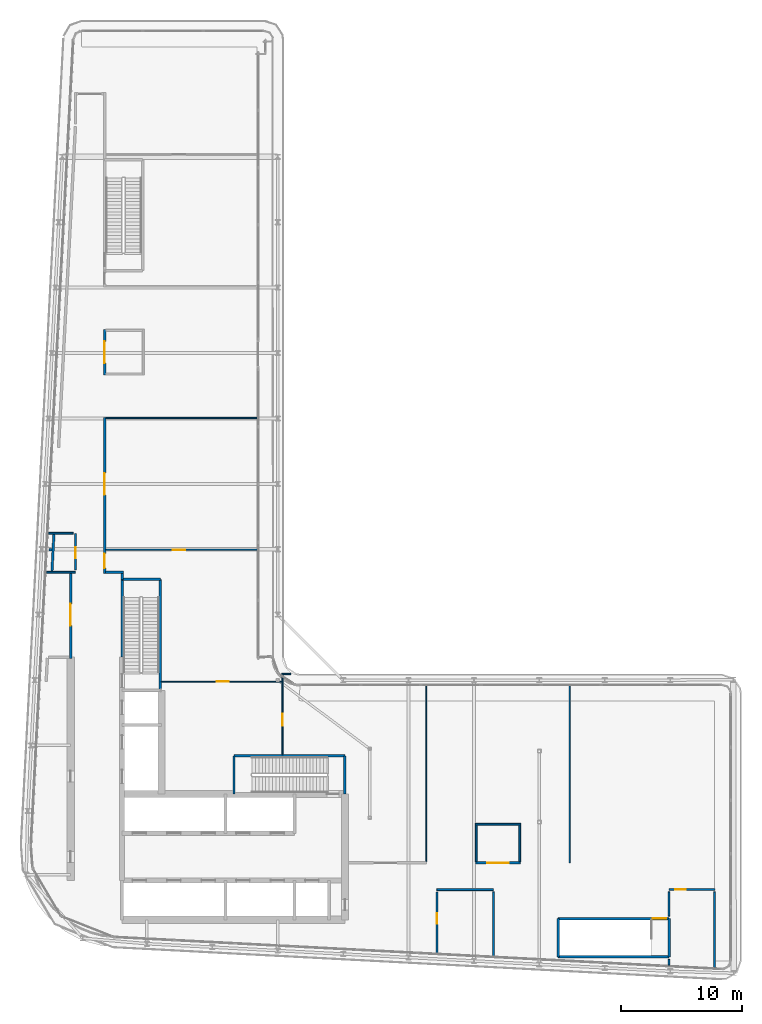
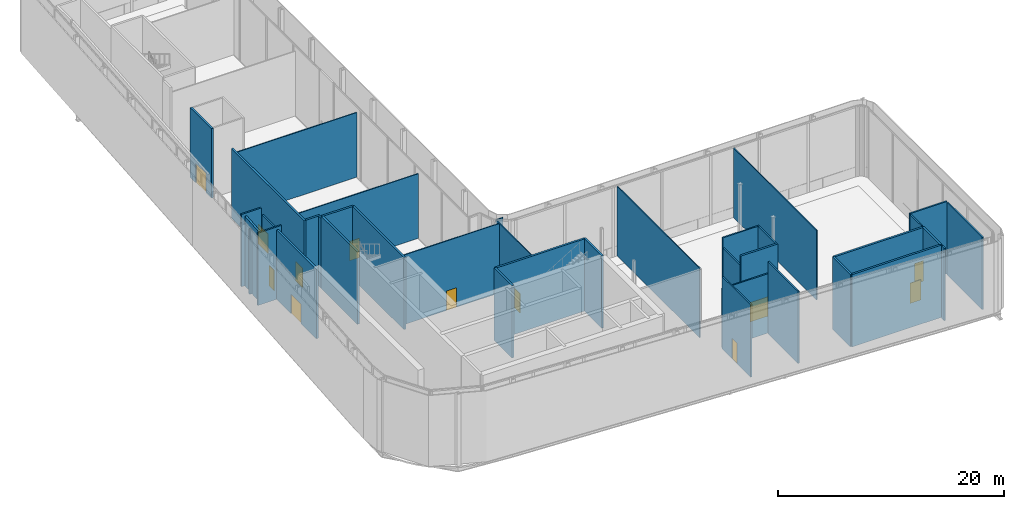
# One storey, part 21 of 27: 38 walls, 12 doors, 12 openings.
"""IFC4 building model written with IfcOpenShell, lengths in metres."""

from ifc_helpers import new_model, si_unit, direction, frame, frame_2d, origin, place, context, subcontext, project, spatial, rectangle, extrude, source, transform, mapped, material, layer, layer_set, type_object, element, fill, save


model = new_model("IFC4")

# Units and contexts
model_context = context("Model", 3, precision=1e-05, world=origin(), true_north=direction((0.0, 1.0)))
body_context = subcontext(model_context, "Body", "Model", "MODEL_VIEW")
ifc_project = project(units=[si_unit("LENGTHUNIT", "METRE"), si_unit("AREAUNIT", "SQUARE_METRE"), si_unit("VOLUMEUNIT", "CUBIC_METRE"), si_unit("PLANEANGLEUNIT", "RADIAN"), si_unit("MASSUNIT", "GRAM", prefix="KILO")], contexts=[model_context])

# Site, building, storey
site_placement = place(None, origin())
site = spatial("IfcSite", under=ifc_project, at=site_placement, CompositionType="ELEMENT")
building_placement = place(site_placement, origin())
building = spatial("IfcBuilding", under=site, at=building_placement, Name="Kheshtan School and Residences Tower", CompositionType="ELEMENT")
storey_placement = place(building_placement, frame((0.0, 0.0, 266.89990234375)))
storey = spatial("IfcBuildingStorey", under=building, at=storey_placement, Name="L63", CompositionType="ELEMENT", Elevation=266.89990234375)

# Walls
ifc_material_1 = material(Name="Gypsum board on steel studs with fire boards", Category="steel")
ifc_layer_1 = layer(ifc_material_1, 0.199951171875)
ifc_layer_set_1 = layer_set([ifc_layer_1], Name="Corridor wall 200")
wall_type_1 = type_object("IfcWallType", Name="Corridor wall 200", PredefinedType="PARTITIONING", material=ifc_layer_set_1)
wall_1_placement = place(storey_placement, frame((28.72412109375, 56.35302734375, 0.0), z_axis=(0.0, 0.0, 1.0), x_axis=(1.0, 0.0, 0.0)))
element("IfcWall", 1, at=wall_1_placement, inside=storey, type_object=wall_type_1, Name="Partition L63-003", PredefinedType="PARTITIONING", context=body_context, shape_type="SweptSolid", body=[
    extrude(rectangle(XDim=0.22998046875, YDim=0.199951171875, at=frame_2d((0.114990234375, 0.0))), origin(), (0.0, 0.0, 1.0), 6.97216796875),
])
wall_2_placement = place(storey_placement, frame((28.9599609375, 54.573974609375, 0.0), z_axis=(0.0, 0.0, 1.0), x_axis=(0.052145785312, 0.998639483034, 0.0)))
element("IfcWall", 2, at=wall_2_placement, inside=storey, type_object=wall_type_1, Name="Partition L63-004", PredefinedType="PARTITIONING", context=body_context, shape_type="SweptSolid", body=[
    extrude(rectangle(XDim=3.0712890625, YDim=0.199951171875, at=frame_2d((1.53564453125, 0.0))), origin(), (0.0, 0.0, 1.0), 7.5),
])

# Wall, opening, door
wall_3_placement = place(storey_placement, frame((30.5, 47.39990234375, 0.0), z_axis=(0.0, 0.0, 1.0), x_axis=(0.0, 1.0, 0.0)))
wall_3 = element("IfcWall", 3, at=wall_3_placement, inside=storey, type_object=wall_type_1, Name="Partition L63-006", PredefinedType="PARTITIONING", context=body_context, shape_type="SweptSolid", body=[
    extrude(rectangle(XDim=7.026123046875, YDim=0.199951171875, at=frame_2d((3.51318359375, 0.0))), origin(), (0.0, 0.0, 1.0), 7.5),
])
opening_1_placement = place(wall_3_placement, frame((2.699951171875, 0.0, 0.0)))
opening_1 = element("IfcOpeningElement", 4, at=opening_1_placement, cuts=wall_3, Name="Opening D63-003", PredefinedType="OPENING", context=body_context, shape_type="SweptSolid", body=[
    extrude(rectangle(XDim=1.800048828125, YDim=2.10009765625, at=frame_2d((0.89990234375, 1.050048828125))), frame((0.0, 0.10986328125, 0.0), z_axis=(0.0, -1.0, 0.0), x_axis=(1.0, 0.0, 0.0)), (0.0, 0.0, 1.0), 0.219970703125),
])
ifc_material_2 = material(Name="Steel-framed fire-resisting door leaf", Category="steel")
door_type_1 = type_object("IfcDoorType", Name="Fire double door FD60 1800 x 2100", OperationType="DOUBLE_DOOR_SINGLE_SWING", PredefinedType="DOOR", material=ifc_material_2)
shared_shape_1 = source(origin(), body_context, "Body", "SweptSolid", [
    extrude(rectangle(XDim=1.800048828125, YDim=2.10009765625, at=frame_2d((0.89990234375, 1.050048828125))), frame((0.0, 0.02490234375, 0.0), z_axis=(0.0, -1.0, 0.0), x_axis=(1.0, 0.0, 0.0)), (0.0, 0.0, 1.0), 0.050048828125),
])
door_1_placement = place(opening_1_placement, origin())
door_1 = element("IfcDoor", 5, at=door_1_placement, inside=storey, type_object=door_type_1, Name="Door D63-003", OperationType="DOUBLE_DOOR_SINGLE_SWING", OverallHeight=2.10009765625, OverallWidth=1.800048828125, PredefinedType="DOOR", context=body_context, shape_type="MappedRepresentation", body=[
    mapped(shared_shape_1, transform((0.0, 0.0, 0.0), x_axis=(1.0, 0.0, 0.0), y_axis=(0.0, 1.0, 0.0), z_axis=(0.0, 0.0, 1.0), scale=1.0)),
])
fill(opening_1, door_1)

# Wall, openings, doors
wall_4_placement = place(storey_placement, frame((33.300048828125, 54.39990234375, 0.0), z_axis=(0.0, 0.0, 1.0), x_axis=(0.0, 1.0, 0.0)))
wall_4 = element("IfcWall", 6, at=wall_4_placement, inside=storey, type_object=wall_type_1, Name="Partition L63-009", PredefinedType="PARTITIONING", context=body_context, shape_type="SweptSolid", body=[
    extrude(rectangle(XDim=12.882080078125, YDim=0.199951171875, at=frame_2d((6.44091796875, 0.0))), origin(), (0.0, 0.0, 1.0), 7.5),
])
opening_2_placement = place(wall_4_placement, frame((0.449951171875, 0.0, 0.0)))
opening_2 = element("IfcOpeningElement", 7, at=opening_2_placement, cuts=wall_4, Name="Opening D63-005", PredefinedType="OPENING", context=body_context, shape_type="SweptSolid", body=[
    extrude(rectangle(XDim=1.199951171875, YDim=2.10009765625, at=frame_2d((0.60009765625, 1.050048828125))), frame((0.0, 0.10986328125, 0.0), z_axis=(0.0, -1.0, 0.0), x_axis=(1.0, 0.0, 0.0)), (0.0, 0.0, 1.0), 0.219970703125),
])
opening_3_placement = place(wall_4_placement, frame((6.492919921875, 0.0, 0.0)))
opening_3 = element("IfcOpeningElement", 8, at=opening_3_placement, cuts=wall_4, Name="Opening D63-008", PredefinedType="OPENING", context=body_context, shape_type="SweptSolid", body=[
    extrude(rectangle(XDim=1.800048828125, YDim=2.10009765625, at=frame_2d((0.89990234375, 1.050048828125))), frame((0.0, 0.10986328125, 0.0), z_axis=(0.0, -1.0, 0.0), x_axis=(1.0, 0.0, 0.0)), (0.0, 0.0, 1.0), 0.219970703125),
])
door_2_placement = place(opening_3_placement, origin())
door_2 = element("IfcDoor", 9, at=door_2_placement, inside=storey, type_object=door_type_1, Name="Door D63-008", OperationType="DOUBLE_DOOR_SINGLE_SWING", OverallHeight=2.10009765625, OverallWidth=1.800048828125, PredefinedType="DOOR", context=body_context, shape_type="MappedRepresentation", body=[
    mapped(shared_shape_1, transform((0.0, 0.0, 0.0), x_axis=(1.0, 0.0, 0.0), y_axis=(0.0, 1.0, 0.0), z_axis=(0.0, 0.0, 1.0), scale=1.0)),
])
fill(opening_3, door_2)
door_type_2 = type_object("IfcDoorType", Name="Fire door FD60 1200 x 2100", OperationType="SINGLE_SWING_LEFT", PredefinedType="DOOR", material=ifc_material_2)
shared_shape_2 = source(origin(), body_context, "Body", "SweptSolid", [
    extrude(rectangle(XDim=1.199951171875, YDim=2.10009765625, at=frame_2d((0.60009765625, 1.050048828125))), frame((0.0, 0.02490234375, 0.0), z_axis=(0.0, -1.0, 0.0), x_axis=(1.0, 0.0, 0.0)), (0.0, 0.0, 1.0), 0.050048828125),
])
door_3_placement = place(opening_2_placement, origin())
door_3 = element("IfcDoor", 10, at=door_3_placement, inside=storey, type_object=door_type_2, Name="Door D63-005", OperationType="SINGLE_SWING_RIGHT", OverallHeight=2.10009765625, OverallWidth=1.199951171875, PredefinedType="DOOR", context=body_context, shape_type="MappedRepresentation", body=[
    mapped(shared_shape_2, transform((0.0, 0.0, 0.0), x_axis=(1.0, 0.0, 0.0), y_axis=(0.0, 1.0, 0.0), z_axis=(0.0, 0.0, 1.0), scale=1.0)),
])
fill(opening_2, door_3)

# Wall, opening, door
wall_5_placement = place(storey_placement, frame((33.300048828125, 70.797119140625, 0.0), z_axis=(0.0, 0.0, 1.0), x_axis=(0.0, 1.0, 0.0)))
wall_5 = element("IfcWall", 11, at=wall_5_placement, inside=storey, type_object=wall_type_1, Name="Partition L63-010", PredefinedType="PARTITIONING", context=body_context, shape_type="SweptSolid", body=[
    extrude(rectangle(XDim=3.75, YDim=0.199951171875, at=frame_2d((1.875, 0.0))), origin(), (0.0, 0.0, 1.0), 7.5),
])
opening_4_placement = place(wall_5_placement, frame((0.97509765625, 0.0, 0.0)))
opening_4 = element("IfcOpeningElement", 12, at=opening_4_placement, cuts=wall_5, Name="Opening D63-009", PredefinedType="OPENING", context=body_context, shape_type="SweptSolid", body=[
    extrude(rectangle(XDim=1.800048828125, YDim=2.10009765625, at=frame_2d((0.89990234375, 1.050048828125))), frame((0.0, 0.10986328125, 0.0), z_axis=(0.0, -1.0, 0.0), x_axis=(1.0, 0.0, 0.0)), (0.0, 0.0, 1.0), 0.219970703125),
])
door_4_placement = place(opening_4_placement, origin())
door_4 = element("IfcDoor", 13, at=door_4_placement, inside=storey, type_object=door_type_1, Name="Door D63-009", OperationType="DOUBLE_DOOR_SINGLE_SWING", OverallHeight=2.10009765625, OverallWidth=1.800048828125, PredefinedType="DOOR", context=body_context, shape_type="MappedRepresentation", body=[
    mapped(shared_shape_1, transform((0.0, 0.0, 0.0), x_axis=(1.0, 0.0, 0.0), y_axis=(0.0, 1.0, 0.0), z_axis=(0.0, 0.0, 1.0), scale=1.0)),
])
fill(opening_4, door_4)

# Walls
wall_6_placement = place(storey_placement, frame((33.39990234375, 54.5, 0.0), z_axis=(0.0, 0.0, 1.0), x_axis=(1.0, 0.0, 0.0)))
element("IfcWall", 14, at=wall_6_placement, inside=storey, type_object=wall_type_1, Name="Partition L63-013", PredefinedType="PARTITIONING", context=body_context, shape_type="SweptSolid", body=[
    extrude(rectangle(XDim=1.4501953125, YDim=0.199951171875, at=frame_2d((0.72509765625, 0.0))), origin(), (0.0, 0.0, 1.0), 7.5),
])
wall_7_placement = place(storey_placement, frame((34.75, 53.909912109375, 0.0), z_axis=(0.0, 0.0, 1.0), x_axis=(0.0, 1.0, 0.0)))
element("IfcWall", 15, at=wall_7_placement, inside=storey, type_object=wall_type_1, Name="Partition L63-020", PredefinedType="PARTITIONING", context=body_context, shape_type="SweptSolid", body=[
    extrude(rectangle(XDim=0.489990234375, YDim=0.199951171875, at=frame_2d((0.2451171875, 0.0))), origin(), (0.0, 0.0, 1.0), 7.5),
])

# Wall, opening, door
wall_8_placement = place(storey_placement, frame((63.9150390625, 30.5, 0.0), z_axis=(0.0, 0.0, 1.0), x_axis=(1.0, 0.0, 0.0)))
wall_8 = element("IfcWall", 16, at=wall_8_placement, inside=storey, type_object=wall_type_1, Name="Partition L63-027", PredefinedType="PARTITIONING", context=body_context, shape_type="SweptSolid", body=[
    extrude(rectangle(XDim=3.75, YDim=0.199951171875, at=frame_2d((1.875, 0.0))), origin(), (0.0, 0.0, 1.0), 7.5),
])
opening_5_placement = place(wall_8_placement, frame((0.97509765625, 0.0, 0.0)))
opening_5 = element("IfcOpeningElement", 17, at=opening_5_placement, cuts=wall_8, Name="Opening D63-002", PredefinedType="OPENING", context=body_context, shape_type="SweptSolid", body=[
    extrude(rectangle(XDim=1.800048828125, YDim=2.10009765625, at=frame_2d((0.89990234375, 1.050048828125))), frame((0.0, 0.10986328125, 0.0), z_axis=(0.0, -1.0, 0.0), x_axis=(1.0, 0.0, 0.0)), (0.0, 0.0, 1.0), 0.219970703125),
])
door_5_placement = place(opening_5_placement, origin())
door_5 = element("IfcDoor", 18, at=door_5_placement, inside=storey, type_object=door_type_1, Name="Door D63-002", OperationType="DOUBLE_DOOR_SINGLE_SWING", OverallHeight=2.10009765625, OverallWidth=1.800048828125, PredefinedType="DOOR", context=body_context, shape_type="MappedRepresentation", body=[
    mapped(shared_shape_1, transform((0.0, 0.0, 0.0), x_axis=(1.0, 0.0, 0.0), y_axis=(0.0, 1.0, 0.0), z_axis=(0.0, 0.0, 1.0), scale=1.0)),
])
fill(opening_5, door_5)

ifc_material_3 = material(Name="Gypsum board on steel studs", Category="steel")
ifc_layer_2 = layer(ifc_material_3, 0.10009765625)
ifc_layer_set_2 = layer_set([ifc_layer_2], Name="Gypsum partition 100")
wall_type_2 = type_object("IfcWallType", Name="Gypsum partition 100", PredefinedType="PARTITIONING", material=ifc_layer_set_2)
wall_9_placement = place(storey_placement, frame((33.39990234375, 56.35302734375, 0.0), z_axis=(0.0, 0.0, 1.0), x_axis=(1.0, 0.0, 0.0)))
wall_9 = element("IfcWall", 19, at=wall_9_placement, inside=storey, type_object=wall_type_2, Name="Partition L63-014", PredefinedType="PARTITIONING", context=body_context, shape_type="SweptSolid", body=[
    extrude(rectangle(XDim=12.570068359375, YDim=0.10009765625, at=frame_2d((6.28515625, 0.0))), origin(), (0.0, 0.0, 1.0), 6.97216796875),
])
opening_6_placement = place(wall_9_placement, frame((5.550048828125, 0.0, 0.0)))
opening_6 = element("IfcOpeningElement", 20, at=opening_6_placement, cuts=wall_9, Name="Opening D63-004", PredefinedType="OPENING", context=body_context, shape_type="SweptSolid", body=[
    extrude(rectangle(XDim=1.0, YDim=2.10009765625, at=frame_2d((0.5, 1.050048828125))), frame((0.0, 0.06005859375, 0.0), z_axis=(0.0, -1.0, 0.0), x_axis=(1.0, 0.0, 0.0)), (0.0, 0.0, 1.0), 0.1201171875),
])
ifc_material_4 = material(Name="Veneered timber door leaf", Category="wood")
door_type_3 = type_object("IfcDoorType", Name="Door 1000 x 2100", OperationType="SINGLE_SWING_LEFT", PredefinedType="DOOR", material=ifc_material_4)
shared_shape_3 = source(origin(), body_context, "Body", "SweptSolid", [
    extrude(rectangle(XDim=1.0, YDim=2.10009765625, at=frame_2d((0.5, 1.050048828125))), frame((0.0, 0.02490234375, 0.0), z_axis=(0.0, -1.0, 0.0), x_axis=(1.0, 0.0, 0.0)), (0.0, 0.0, 1.0), 0.050048828125),
])
door_6_placement = place(opening_6_placement, origin())
door_6 = element("IfcDoor", 21, at=door_6_placement, inside=storey, type_object=door_type_3, Name="Door D63-004", OperationType="SINGLE_SWING_LEFT", OverallHeight=2.10009765625, OverallWidth=1.0, PredefinedType="DOOR", context=body_context, shape_type="MappedRepresentation", body=[
    mapped(shared_shape_3, transform((0.0, 0.0, 0.0), x_axis=(1.0, 0.0, 0.0), y_axis=(0.0, 1.0, 0.0), z_axis=(0.0, 0.0, 1.0), scale=1.0)),
])
fill(opening_6, door_6)

# Wall
wall_10_placement = place(storey_placement, frame((33.39990234375, 67.23193359375, 0.0), z_axis=(0.0, 0.0, 1.0), x_axis=(1.0, 0.0, 0.0)))
element("IfcWall", 22, at=wall_10_placement, inside=storey, type_object=wall_type_2, Name="Partition L63-015", PredefinedType="PARTITIONING", context=body_context, shape_type="SweptSolid", body=[
    extrude(rectangle(XDim=12.570068359375, YDim=0.10009765625, at=frame_2d((6.28515625, 0.0))), origin(), (0.0, 0.0, 1.0), 6.97216796875),
])

# Wall, opening, door
wall_11_placement = place(storey_placement, frame((37.9990234375, 45.472900390625, 0.0), z_axis=(0.0, 0.0, 1.0), x_axis=(1.0, 0.0, 0.0)))
wall_11 = element("IfcWall", 23, at=wall_11_placement, inside=storey, type_object=wall_type_2, Name="Partition L63-022", PredefinedType="PARTITIONING", context=body_context, shape_type="SweptSolid", body=[
    extrude(rectangle(XDim=9.94091796875, YDim=0.10009765625, at=frame_2d((4.970458984375, 0.0))), origin(), (0.0, 0.0, 1.0), 7.5),
])
opening_7_placement = place(wall_11_placement, frame((4.551025390625, 0.0, 0.0)))
opening_7 = element("IfcOpeningElement", 24, at=opening_7_placement, cuts=wall_11, Name="Opening D63-006", PredefinedType="OPENING", context=body_context, shape_type="SweptSolid", body=[
    extrude(rectangle(XDim=1.0, YDim=2.10009765625, at=frame_2d((0.5, 1.050048828125))), frame((0.0, 0.06005859375, 0.0), z_axis=(0.0, -1.0, 0.0), x_axis=(1.0, 0.0, 0.0)), (0.0, 0.0, 1.0), 0.1201171875),
])
door_7_placement = place(opening_7_placement, origin())
door_7 = element("IfcDoor", 25, at=door_7_placement, inside=storey, type_object=door_type_3, Name="Door D63-006", OperationType="SINGLE_SWING_LEFT", OverallHeight=2.10009765625, OverallWidth=1.0, PredefinedType="DOOR", context=body_context, shape_type="MappedRepresentation", body=[
    mapped(shared_shape_3, transform((0.0, 0.0, 0.0), x_axis=(1.0, 0.0, 0.0), y_axis=(0.0, 1.0, 0.0), z_axis=(0.0, 0.0, 1.0), scale=1.0)),
])
fill(opening_7, door_7)

wall_12_placement = place(storey_placement, frame((47.989990234375, 39.448974609375, 0.0), z_axis=(0.0, 0.0, 1.0), x_axis=(0.0, 1.0, 0.0)))
wall_12 = element("IfcWall", 26, at=wall_12_placement, inside=storey, type_object=wall_type_2, Name="Partition L63-023", PredefinedType="PARTITIONING", context=body_context, shape_type="SweptSolid", body=[
    extrude(rectangle(XDim=6.700927734375, YDim=0.10009765625, at=frame_2d((3.3505859375, 0.0))), origin(), (0.0, 0.0, 1.0), 7.5),
])
opening_8_placement = place(wall_12_placement, frame((2.3740234375, 0.0, 0.0)))
opening_8 = element("IfcOpeningElement", 27, at=opening_8_placement, cuts=wall_12, Name="Opening D63-007", PredefinedType="OPENING", context=body_context, shape_type="SweptSolid", body=[
    extrude(rectangle(XDim=1.0, YDim=2.10009765625, at=frame_2d((0.5, 1.050048828125))), frame((0.0, 0.06005859375, 0.0), z_axis=(0.0, -1.0, 0.0), x_axis=(1.0, 0.0, 0.0)), (0.0, 0.0, 1.0), 0.1201171875),
])
door_8_placement = place(opening_8_placement, origin())
door_8 = element("IfcDoor", 28, at=door_8_placement, inside=storey, type_object=door_type_3, Name="Door D63-007", OperationType="SINGLE_SWING_RIGHT", OverallHeight=2.10009765625, OverallWidth=1.0, PredefinedType="DOOR", context=body_context, shape_type="MappedRepresentation", body=[
    mapped(shared_shape_3, transform((0.0, 0.0, 0.0), x_axis=(1.0, 0.0, 0.0), y_axis=(0.0, 1.0, 0.0), z_axis=(0.0, 0.0, 1.0), scale=1.0)),
])
fill(opening_8, door_8)

# Walls
wall_13_placement = place(storey_placement, frame((48.0400390625, 46.10009765625, 0.0), z_axis=(0.0, 0.0, 1.0), x_axis=(1.0, 0.0, 0.0)))
element("IfcWall", 29, at=wall_13_placement, inside=storey, type_object=wall_type_2, Name="Partition L63-024", PredefinedType="PARTITIONING", context=body_context, shape_type="SweptSolid", body=[
    extrude(rectangle(XDim=0.64404296875, YDim=0.10009765625, at=frame_2d((0.322021484375, 0.0))), origin(), (0.0, 0.0, 1.0), 7.5),
])
wall_14_placement = place(storey_placement, frame((59.85302734375, 30.60009765625, 0.0), z_axis=(0.0, 0.0, 1.0), x_axis=(0.0, 1.0, 0.0)))
element("IfcWall", 30, at=wall_14_placement, inside=storey, type_object=wall_type_2, Name="Partition L63-026", PredefinedType="PARTITIONING", context=body_context, shape_type="SweptSolid", body=[
    extrude(rectangle(XDim=14.56982421875, YDim=0.10009765625, at=frame_2d((7.284912109375, 0.0))), origin(), (0.0, 0.0, 1.0), 7.5),
])
wall_15_placement = place(storey_placement, frame((71.717041015625, 30.5, 0.0), z_axis=(0.0, 0.0, 1.0), x_axis=(0.0, 1.0, 0.0)))
element("IfcWall", 31, at=wall_15_placement, inside=storey, type_object=wall_type_2, Name="Partition L63-031", PredefinedType="PARTITIONING", context=body_context, shape_type="SweptSolid", body=[
    extrude(rectangle(XDim=14.669921875, YDim=0.10009765625, at=frame_2d((7.3349609375, 0.0))), origin(), (0.0, 0.0, 1.0), 7.5),
])
ifc_material_5 = material(Name="Fire-board shaft wall system")
ifc_layer_3 = layer(ifc_material_5, 0.14990234375)
ifc_layer_set_3 = layer_set([ifc_layer_3], Name="Service room wall 150")
wall_type_3 = type_object("IfcWallType", Name="Service room wall 150", PredefinedType="PARTITIONING", material=ifc_layer_set_3)
wall_16_placement = place(storey_placement, frame((28.508056640625, 54.5, 0.0), z_axis=(0.0, 0.0, 1.0), x_axis=(1.0, 0.0, 0.0)))
element("IfcWall", 32, at=wall_16_placement, inside=storey, type_object=wall_type_3, Name="Service room wall", PredefinedType="PARTITIONING", context=body_context, shape_type="SweptSolid", body=[
    extrude(rectangle(XDim=2.391845703125, YDim=0.14990234375, at=frame_2d((1.19580078125, 0.0))), origin(), (0.0, 0.0, 1.0), 7.800048828125),
])

# Wall, opening, door
wall_17_placement = place(storey_placement, frame((30.89990234375, 54.695068359375, 0.0), z_axis=(0.0, 0.0, 1.0), x_axis=(0.0, 1.0, 0.0)))
wall_17 = element("IfcWall", 33, at=wall_17_placement, inside=storey, type_object=wall_type_3, Name="Service room wall", PredefinedType="PARTITIONING", context=body_context, shape_type="SweptSolid", body=[
    extrude(rectangle(XDim=3.02490234375, YDim=0.14990234375, at=frame_2d((1.512451171875, 0.0))), origin(), (0.0, 0.0, 1.0), 6.97216796875),
])
opening_9_placement = place(wall_17_placement, frame((0.965087890625, 0.0, 0.0)))
opening_9 = element("IfcOpeningElement", 34, at=opening_9_placement, cuts=wall_17, Name="Opening SR90", PredefinedType="OPENING", context=body_context, shape_type="SweptSolid", body=[
    extrude(rectangle(XDim=0.89990234375, YDim=2.199951171875, at=frame_2d((0.449951171875, 1.10009765625))), frame((0.0, 0.0849609375, 0.0), z_axis=(0.0, -1.0, 0.0), x_axis=(1.0, 0.0, 0.0)), (0.0, 0.0, 1.0), 0.169921875),
])
ifc_material_6 = material(Name="Steel door leaf, galvanised", Category="steel")
door_type_4 = type_object("IfcDoorType", Name="Service room door 900 steel 90 min", OperationType="SINGLE_SWING_LEFT", PredefinedType="DOOR", material=ifc_material_6)
shared_shape_4 = source(origin(), body_context, "Body", "SweptSolid", [
    extrude(rectangle(XDim=0.89990234375, YDim=2.199951171875, at=frame_2d((0.449951171875, 1.10009765625))), frame((0.0, 0.02490234375, 0.0), z_axis=(0.0, -1.0, 0.0), x_axis=(1.0, 0.0, 0.0)), (0.0, 0.0, 1.0), 0.050048828125),
])
door_9_placement = place(opening_9_placement, origin())
door_9 = element("IfcDoor", 35, at=door_9_placement, inside=storey, type_object=door_type_4, Name="Service room door", OperationType="SINGLE_SWING_LEFT", OverallHeight=2.199951171875, OverallWidth=0.89990234375, PredefinedType="DOOR", context=body_context, shape_type="MappedRepresentation", body=[
    mapped(shared_shape_4, transform((0.0, 0.0, 0.0), x_axis=(1.0, 0.0, 0.0), y_axis=(0.0, 1.0, 0.0), z_axis=(0.0, 0.0, 1.0), scale=1.0)),
])
fill(opening_9, door_9)

# Walls
wall_18_placement = place(storey_placement, frame((28.677978515625, 57.719970703125, 0.0), z_axis=(0.0, 0.0, 1.0), x_axis=(1.0, 0.0, 0.0)))
element("IfcWall", 36, at=wall_18_placement, inside=storey, type_object=wall_type_3, Name="Service room wall", PredefinedType="PARTITIONING", context=body_context, shape_type="SweptSolid", body=[
    extrude(rectangle(XDim=2.027099609375, YDim=0.14990234375, at=frame_2d((1.013671875, 0.0))), origin(), (0.0, 0.0, 1.0), 7.800048828125),
])
wall_19_placement = place(storey_placement, frame((60.75, 28.300048828125, 0.0), z_axis=(0.0, 0.0, 1.0), x_axis=(1.0, 0.0, 0.0)))
element("IfcWall", 37, at=wall_19_placement, inside=storey, type_object=wall_type_3, Name="Service room wall", PredefinedType="PARTITIONING", context=body_context, shape_type="SweptSolid", body=[
    extrude(rectangle(XDim=4.6640625, YDim=0.14990234375, at=frame_2d((2.33203125, 0.0))), origin(), (0.0, 0.0, 1.0), 6.400146484375),
])

# Wall, opening, door
wall_20_placement = place(storey_placement, frame((60.75, 23.074951171875, 0.0), z_axis=(0.0, 0.0, 1.0), x_axis=(0.0, 1.0, 0.0)))
wall_20 = element("IfcWall", 38, at=wall_20_placement, inside=storey, type_object=wall_type_3, Name="Service room wall", PredefinedType="PARTITIONING", context=body_context, shape_type="SweptSolid", body=[
    extrude(rectangle(XDim=5.030029296875, YDim=0.14990234375, at=frame_2d((2.51513671875, 0.0))), origin(), (0.0, 0.0, 1.0), 7.800048828125),
])
opening_10_placement = place(wall_20_placement, frame((2.386962890625, 0.0, 0.0)))
opening_10 = element("IfcOpeningElement", 39, at=opening_10_placement, cuts=wall_20, Name="Opening SR90", PredefinedType="OPENING", context=body_context, shape_type="SweptSolid", body=[
    extrude(rectangle(XDim=0.89990234375, YDim=2.199951171875, at=frame_2d((0.449951171875, 1.10009765625))), frame((0.0, 0.0849609375, 0.0), z_axis=(0.0, -1.0, 0.0), x_axis=(1.0, 0.0, 0.0)), (0.0, 0.0, 1.0), 0.169921875),
])
door_10_placement = place(opening_10_placement, origin())
door_10 = element("IfcDoor", 40, at=door_10_placement, inside=storey, type_object=door_type_4, Name="Service room door", OperationType="SINGLE_SWING_LEFT", OverallHeight=2.199951171875, OverallWidth=0.89990234375, PredefinedType="DOOR", context=body_context, shape_type="MappedRepresentation", body=[
    mapped(shared_shape_4, transform((0.0, 0.0, 0.0), x_axis=(1.0, 0.0, 0.0), y_axis=(0.0, 1.0, 0.0), z_axis=(0.0, 0.0, 1.0), scale=1.0)),
])
fill(opening_10, door_10)

# Wall
wall_21_placement = place(storey_placement, frame((65.4140625, 22.8291015625, 0.0), z_axis=(0.0, 0.0, 1.0), x_axis=(0.0, 1.0, 0.0)))
element("IfcWall", 41, at=wall_21_placement, inside=storey, type_object=wall_type_3, Name="Service room wall", PredefinedType="PARTITIONING", context=body_context, shape_type="SweptSolid", body=[
    extrude(rectangle(XDim=5.27587890625, YDim=0.14990234375, at=frame_2d((2.637939453125, 0.0))), origin(), (0.0, 0.0, 1.0), 7.800048828125),
])

# Wall, opening, door
wall_22_placement = place(storey_placement, frame((79.909912109375, 28.300048828125, 0.0), z_axis=(0.0, 0.0, 1.0), x_axis=(1.0, 0.0, 0.0)))
wall_22 = element("IfcWall", 42, at=wall_22_placement, inside=storey, type_object=wall_type_3, Name="Service room wall", PredefinedType="PARTITIONING", context=body_context, shape_type="SweptSolid", body=[
    extrude(rectangle(XDim=3.7880859375, YDim=0.14990234375, at=frame_2d((1.89404296875, 0.0))), origin(), (0.0, 0.0, 1.0), 7.800048828125),
])
opening_11_placement = place(wall_22_placement, frame((0.4951171875, 0.0, 0.0)))
opening_11 = element("IfcOpeningElement", 43, at=opening_11_placement, cuts=wall_22, Name="Opening SR90", PredefinedType="OPENING", context=body_context, shape_type="SweptSolid", body=[
    extrude(rectangle(XDim=0.89990234375, YDim=2.199951171875, at=frame_2d((0.449951171875, 1.10009765625))), frame((0.0, 0.0849609375, 0.0), z_axis=(0.0, -1.0, 0.0), x_axis=(1.0, 0.0, 0.0)), (0.0, 0.0, 1.0), 0.169921875),
])
door_11_placement = place(opening_11_placement, origin())
door_11 = element("IfcDoor", 44, at=door_11_placement, inside=storey, type_object=door_type_4, Name="Service room door", OperationType="SINGLE_SWING_RIGHT", OverallHeight=2.199951171875, OverallWidth=0.89990234375, PredefinedType="DOOR", context=body_context, shape_type="MappedRepresentation", body=[
    mapped(shared_shape_4, transform((0.0, 0.0, 0.0), x_axis=(1.0, 0.0, 0.0), y_axis=(0.0, 1.0, 0.0), z_axis=(0.0, 0.0, 1.0), scale=1.0)),
])
fill(opening_11, door_11)

# Walls
wall_23_placement = place(storey_placement, frame((79.909912109375, 22.06591796875, 0.0), z_axis=(0.0, 0.0, 1.0), x_axis=(0.0, 1.0, 0.0)))
element("IfcWall", 45, at=wall_23_placement, inside=storey, type_object=wall_type_3, Name="Service room wall", PredefinedType="PARTITIONING", context=body_context, shape_type="SweptSolid", body=[
    extrude(rectangle(XDim=0.464111328125, YDim=0.14990234375, at=frame_2d((0.23193359375, 0.0))), origin(), (0.0, 0.0, 1.0), 7.800048828125),
])
wall_24_placement = place(storey_placement, frame((79.909912109375, 26.1201171875, 0.0), z_axis=(0.0, 0.0, 1.0), x_axis=(0.0, 1.0, 0.0)))
element("IfcWall", 46, at=wall_24_placement, inside=storey, type_object=wall_type_3, Name="Service room wall", PredefinedType="PARTITIONING", context=body_context, shape_type="SweptSolid", body=[
    extrude(rectangle(XDim=1.98486328125, YDim=0.14990234375, at=frame_2d((0.992431640625, 0.0))), origin(), (0.0, 0.0, 1.0), 7.800048828125),
])
wall_25_placement = place(storey_placement, frame((83.669921875, 21.867919921875, 0.0), z_axis=(0.0, 0.0, 1.0), x_axis=(0.0, 1.0, 0.0)))
element("IfcWall", 47, at=wall_25_placement, inside=storey, type_object=wall_type_3, Name="Service room wall", PredefinedType="PARTITIONING", context=body_context, shape_type="SweptSolid", body=[
    extrude(rectangle(XDim=6.237060546875, YDim=0.14990234375, at=frame_2d((3.11865234375, 0.0))), origin(), (0.0, 0.0, 1.0), 7.800048828125),
])
ifc_material_7 = material(Name="Concrete C40/50", Category="concrete")
ifc_layer_4 = layer(ifc_material_7, 0.199951171875)
ifc_layer_set_4 = layer_set([ifc_layer_4], Name="Stair enclosure wall 200 Concrete C40/50")
wall_type_4 = type_object("IfcWallType", Name="Stair enclosure wall 200 Concrete C40/50", PredefinedType="SHEAR", material=ifc_layer_set_4)
wall_26_placement = place(storey_placement, frame((43.989990234375, 39.35009765625, 0.0), z_axis=(0.0, 0.0, 1.0), x_axis=(1.0, 0.0, 0.0)))
element("IfcWall", 48, at=wall_26_placement, inside=storey, type_object=wall_type_4, Name="Stair enclosure wall ST1", PredefinedType="SHEAR", context=body_context, shape_type="SweptSolid", body=[
    extrude(rectangle(XDim=9.159912109375, YDim=0.199951171875, at=frame_2d((4.580078125, 0.0))), origin(), (0.0, 0.0, 1.0), 7.800048828125),
])
for number, where, z_axis, x_axis, name in (
    (49, (43.989990234375, 36.199951171875, 0.0), (0.0, 0.0, 1.0), (0.0, 1.0, 0.0), "Stair enclosure wall ST1"),
    (50, (53.14990234375, 36.199951171875, 0.0), (0.0, 0.0, 1.0), (0.0, 1.0, 0.0), "Stair enclosure wall ST1"),
):
    element("IfcWall", number, at=place(storey_placement, frame(where, z_axis=z_axis, x_axis=x_axis)), inside=storey, type_object=wall_type_4, Name=name, PredefinedType="SHEAR", context=body_context, shape_type="SweptSolid", body=[
        extrude(rectangle(XDim=3.150146484375, YDim=0.199951171875, at=frame_2d((1.5751953125, 0.0))), origin(), (0.0, 0.0, 1.0), 7.800048828125),
    ])
wall_27_placement = place(storey_placement, frame((34.75, 53.909912109375, 0.0), z_axis=(0.0, 0.0, 1.0), x_axis=(1.0, 0.0, 0.0)))
element("IfcWall", 51, at=wall_27_placement, inside=storey, type_object=wall_type_4, Name="Stair enclosure wall ST2", PredefinedType="SHEAR", context=body_context, shape_type="SweptSolid", body=[
    extrude(rectangle(XDim=3.14990234375, YDim=0.199951171875, at=frame_2d((1.574951171875, 0.0))), origin(), (0.0, 0.0, 1.0), 7.800048828125),
])
wall_28_placement = place(storey_placement, frame((34.75, 47.5, 0.0), z_axis=(0.0, 0.0, 1.0), x_axis=(0.0, 1.0, 0.0)))
element("IfcWall", 52, at=wall_28_placement, inside=storey, type_object=wall_type_4, Name="Stair enclosure wall ST2", PredefinedType="SHEAR", context=body_context, shape_type="SweptSolid", body=[
    extrude(rectangle(XDim=6.409912109375, YDim=0.199951171875, at=frame_2d((3.205078125, 0.0))), origin(), (0.0, 0.0, 1.0), 7.800048828125),
])
for number, where, z_axis, x_axis, name in (
    (53, (37.89990234375, 44.75, 0.0), (0.0, 0.0, 1.0), (0.0, 1.0, 0.0), "Stair enclosure wall ST2"),
    (54, (70.75, 22.75, 0.0), (0.0, 0.0, 1.0), (1.0, 0.0, 0.0), "Stair enclosure wall ST5"),
):
    element("IfcWall", number, at=place(storey_placement, frame(where, z_axis=z_axis, x_axis=x_axis)), inside=storey, type_object=wall_type_4, Name=name, PredefinedType="SHEAR", context=body_context, shape_type="SweptSolid", body=[
        extrude(rectangle(XDim=9.159912109375, YDim=0.199951171875, at=frame_2d((4.580078125, 0.0))), origin(), (0.0, 0.0, 1.0), 7.800048828125),
    ])

# Wall, opening, door
wall_29_placement = place(storey_placement, frame((70.75, 25.89990234375, 0.0), z_axis=(0.0, 0.0, 1.0), x_axis=(1.0, 0.0, 0.0)))
wall_29 = element("IfcWall", 55, at=wall_29_placement, inside=storey, type_object=wall_type_4, Name="Stair enclosure wall ST5", PredefinedType="SHEAR", context=body_context, shape_type="SweptSolid", body=[
    extrude(rectangle(XDim=9.159912109375, YDim=0.199951171875, at=frame_2d((4.580078125, 0.0))), origin(), (0.0, 0.0, 1.0), 7.800048828125),
])
opening_12_placement = place(wall_29_placement, frame((7.81005859375, 0.0, 0.0)))
opening_12 = element("IfcOpeningElement", 56, at=opening_12_placement, cuts=wall_29, Name="Opening ST5D", PredefinedType="OPENING", context=body_context, shape_type="SweptSolid", body=[
    extrude(rectangle(XDim=1.10009765625, YDim=2.199951171875, at=frame_2d((0.550048828125, 1.10009765625))), frame((0.0, 0.10986328125, 0.0), z_axis=(0.0, -1.0, 0.0), x_axis=(1.0, 0.0, 0.0)), (0.0, 0.0, 1.0), 0.219970703125),
])
door_type_5 = type_object("IfcDoorType", Name="Stair door 1100 steel 90 min", OperationType="SINGLE_SWING_LEFT", PredefinedType="DOOR", material=ifc_material_6)
shared_shape_5 = source(origin(), body_context, "Body", "SweptSolid", [
    extrude(rectangle(XDim=1.10009765625, YDim=2.199951171875, at=frame_2d((0.550048828125, 1.10009765625))), frame((0.0, 0.02490234375, 0.0), z_axis=(0.0, -1.0, 0.0), x_axis=(1.0, 0.0, 0.0)), (0.0, 0.0, 1.0), 0.050048828125),
])
door_12_placement = place(opening_12_placement, origin())
door_12 = element("IfcDoor", 57, at=door_12_placement, inside=storey, type_object=door_type_5, Name="Stair ST5 door", OperationType="SINGLE_SWING_LEFT", OverallHeight=2.199951171875, OverallWidth=1.10009765625, PredefinedType="DOOR", context=body_context, shape_type="MappedRepresentation", body=[
    mapped(shared_shape_5, transform((0.0, 0.0, 0.0), x_axis=(1.0, 0.0, 0.0), y_axis=(0.0, 1.0, 0.0), z_axis=(0.0, 0.0, 1.0), scale=1.0)),
])
fill(opening_12, door_12)

# Walls
for number, where, z_axis, x_axis, name in (
    (58, (70.75, 22.75, 0.0), (0.0, 0.0, 1.0), (0.0, 1.0, 0.0), "Stair enclosure wall ST5"),
    (59, (79.909912109375, 22.75, 0.0), (0.0, 0.0, 1.0), (0.0, 1.0, 0.0), "Stair enclosure wall ST5"),
):
    element("IfcWall", number, at=place(storey_placement, frame(where, z_axis=z_axis, x_axis=x_axis)), inside=storey, type_object=wall_type_4, Name=name, PredefinedType="SHEAR", context=body_context, shape_type="SweptSolid", body=[
        extrude(rectangle(XDim=3.14990234375, YDim=0.199951171875, at=frame_2d((1.574951171875, 0.0))), origin(), (0.0, 0.0, 1.0), 7.800048828125),
    ])
ifc_material_8 = material(Name="Moisture-resistant gypsum board on steel studs", Category="steel")
ifc_layer_5 = layer(ifc_material_8, 0.14990234375)
ifc_layer_set_5 = layer_set([ifc_layer_5], Name="Wet-room partition 150")
wall_type_5 = type_object("IfcWallType", Name="Wet-room partition 150", PredefinedType="PARTITIONING", material=ifc_layer_set_5)
wall_30_placement = place(storey_placement, frame((63.9150390625, 33.699951171875, 0.0), z_axis=(0.0, 0.0, 1.0), x_axis=(1.0, 0.0, 0.0)))
element("IfcWall", 60, at=wall_30_placement, inside=storey, type_object=wall_type_5, Name="Partition L63-028", PredefinedType="PARTITIONING", context=body_context, shape_type="SweptSolid", body=[
    extrude(rectangle(XDim=3.75, YDim=0.14990234375, at=frame_2d((1.875, 0.0))), origin(), (0.0, 0.0, 1.0), 7.5),
])
wall_31_placement = place(storey_placement, frame((63.989990234375, 30.60009765625, 0.0), z_axis=(0.0, 0.0, 1.0), x_axis=(0.0, 1.0, 0.0)))
element("IfcWall", 61, at=wall_31_placement, inside=storey, type_object=wall_type_5, Name="Partition L63-029", PredefinedType="PARTITIONING", context=body_context, shape_type="SweptSolid", body=[
    extrude(rectangle(XDim=3.02490234375, YDim=0.14990234375, at=frame_2d((1.512451171875, 0.0))), origin(), (0.0, 0.0, 1.0), 6.400146484375),
])
wall_32_placement = place(storey_placement, frame((67.590087890625, 30.60009765625, 0.0), z_axis=(0.0, 0.0, 1.0), x_axis=(0.0, 1.0, 0.0)))
element("IfcWall", 62, at=wall_32_placement, inside=storey, type_object=wall_type_5, Name="Partition L63-030", PredefinedType="PARTITIONING", context=body_context, shape_type="SweptSolid", body=[
    extrude(rectangle(XDim=3.02490234375, YDim=0.14990234375, at=frame_2d((1.512451171875, 0.0))), origin(), (0.0, 0.0, 1.0), 7.5),
])

save(model, "model.ifc")
